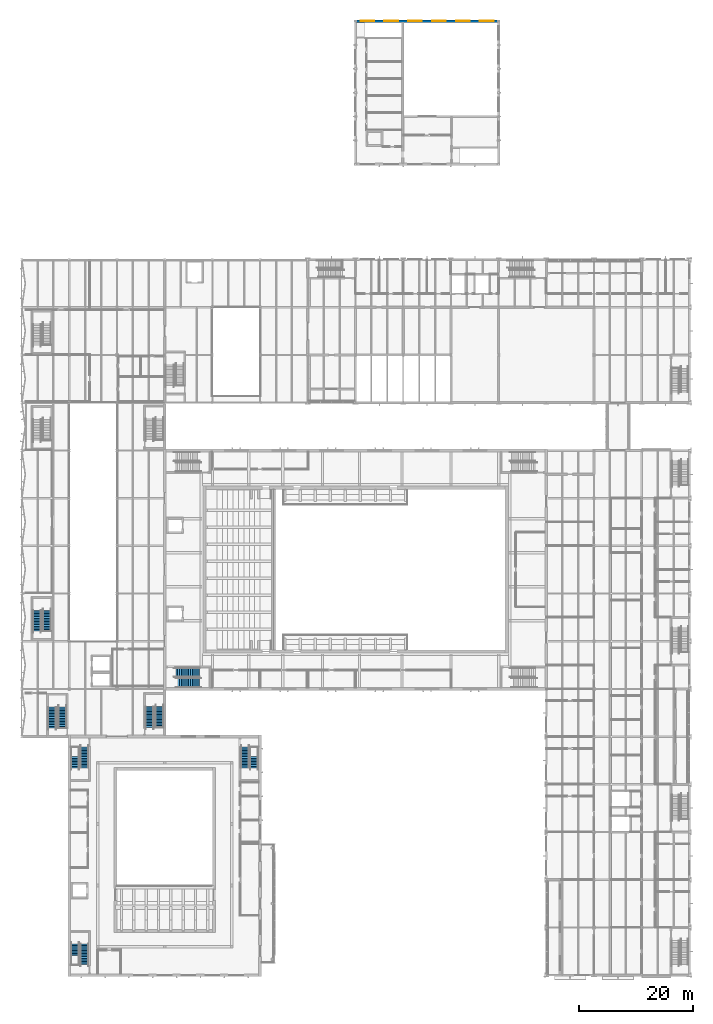
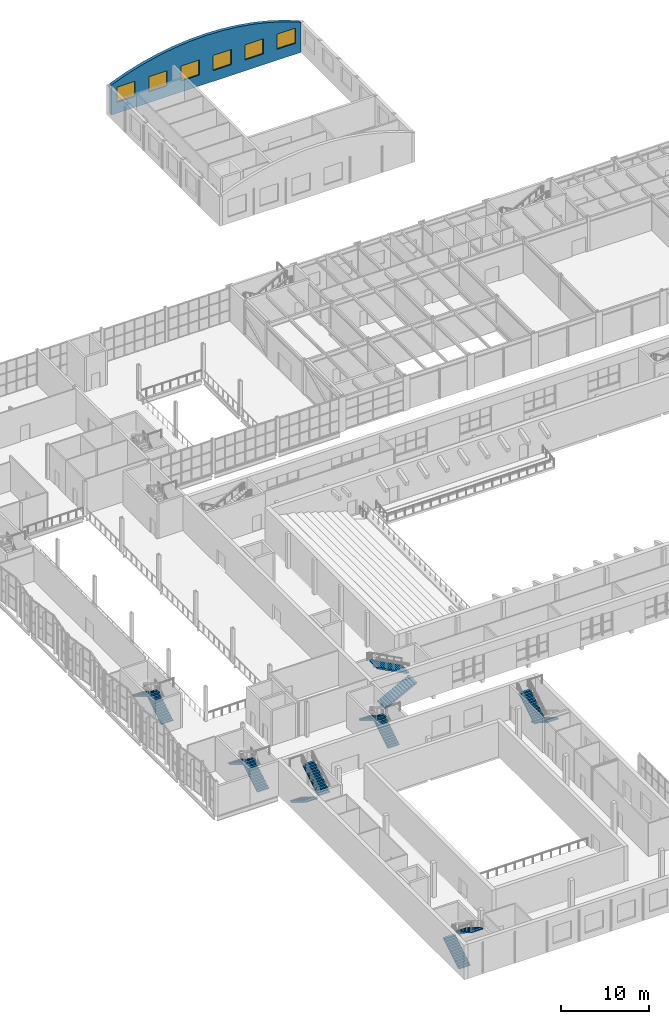
# One storey, part 85 of 127: 14 stair flights, 6 windows, 1 wall, 6 openings, 7 elements without a shape of their own.
"""IFC4 building model written with IfcOpenShell, lengths in metres."""

import ifcopenshell
import ifcopenshell.guid

model = None  # the IFC model being written
_history = None  # IfcOwnerHistory: only IFC2X3 demands one
_inside = {}  # id of a spatial element -> (the spatial element, [elements in it])
_under = {}  # id of a project, library or spatial element -> (it, [spatial elements below it])
_declared = {}  # id of a project -> (the project, [libraries it declares])
_typed = {}  # id of a type object -> (the type object, [elements of that type])
_made_of = {}  # id of a material, layer set ... -> (it, [elements and type objects made of it])


def new_model(schema):
    """Start an empty IFC model of exactly this schema.

    Asked for "IFC4X3", IfcOpenShell would pick the latest addendum, in which some entities
    have other attributes; the version numbers below select the first issue.
    IFC2X3 requires an IfcOwnerHistory on every rooted entity: one is made here for all.
    """
    global model, _history
    if schema == "IFC4X3":
        model = ifcopenshell.file(schema_version=(4, 3, 0, 0))
    else:
        model = ifcopenshell.file(schema=schema)
    _inside.clear()
    _under.clear()
    _declared.clear()
    _typed.clear()
    _made_of.clear()
    _history = None
    if model.schema == "IFC2X3":
        org = make("IfcOrganization", Name="unknown")
        user = make(
            "IfcPersonAndOrganization",
            ThePerson=make("IfcPerson", FamilyName="unknown"),
            TheOrganization=org,
        )
        app = make(
            "IfcApplication",
            ApplicationDeveloper=org,
            Version="unknown",
            ApplicationFullName="unknown",
            ApplicationIdentifier="unknown",
        )
        _history = make(
            "IfcOwnerHistory",
            OwningUser=user,
            OwningApplication=app,
            ChangeAction="ADDED",
            CreationDate=0,
        )
    return model


def make(cls, **values):
    """One entity of the class cls with the attributes given. An attribute that is None is left unset."""
    return model.create_entity(
        cls, **{name: value for name, value in values.items() if value is not None}
    )


def rooted(cls, **values):
    """An entity with a GlobalId (a new one), such as an element, a storey or a relation."""
    return make(cls, GlobalId=ifcopenshell.guid.new(), OwnerHistory=_history, **values)


def si_unit(unit_type, name, prefix=None):
    """IfcSIUnit, for example si_unit("LENGTHUNIT", "METRE", prefix="MILLI")."""
    return make("IfcSIUnit", UnitType=unit_type, Prefix=prefix, Name=name)


def assignment(units):
    """IfcUnitAssignment: the units of a project."""
    return None if units is None else make("IfcUnitAssignment", Units=units)


def point(xyz):
    """IfcCartesianPoint."""
    return None if xyz is None else make("IfcCartesianPoint", Coordinates=xyz)


def direction(xyz):
    """IfcDirection."""
    return None if xyz is None else make("IfcDirection", DirectionRatios=xyz)


def frame(location, z_axis=None, x_axis=None):
    """IfcAxis2Placement3D, a coordinate frame: its origin and axes. An axis left out is left unset."""
    return make(
        "IfcAxis2Placement3D",
        Location=point(location),
        Axis=direction(z_axis),
        RefDirection=direction(x_axis),
    )


def frame_2d(location, x_axis=None):
    """IfcAxis2Placement2D, a coordinate frame in the plane: its origin and x axis."""
    return make(
        "IfcAxis2Placement2D", Location=point(location), RefDirection=direction(x_axis)
    )


def origin():
    """The frame at (0, 0, 0) with its axes left unset."""
    return frame((0.0, 0.0, 0.0))


def place(relative_to, where):
    """IfcLocalPlacement: puts the frame where relative to a parent placement (None: the world)."""
    return make(
        "IfcLocalPlacement", PlacementRelTo=relative_to, RelativePlacement=where
    )


def context(
    kind, dimensions, precision=None, world=None, true_north=None, identifier=None
):
    """IfcGeometricRepresentationContext, for example the 3D "Model" context."""
    return make(
        "IfcGeometricRepresentationContext",
        ContextIdentifier=identifier,
        ContextType=kind,
        CoordinateSpaceDimension=dimensions,
        Precision=precision,
        WorldCoordinateSystem=world,
        TrueNorth=true_north,
    )


def subcontext(parent, identifier, kind, view, scale=None):
    """IfcGeometricRepresentationSubContext, for example "Body" below "Model"."""
    return make(
        "IfcGeometricRepresentationSubContext",
        ContextIdentifier=identifier,
        ContextType=kind,
        ParentContext=parent,
        TargetScale=scale,
        TargetView=view,
    )


def project(units=None, contexts=None):
    """IfcProject with its units and contexts."""
    return rooted(
        "IfcProject",
        Name="project",
        RepresentationContexts=contexts,
        UnitsInContext=assignment(units),
    )


def spatial(cls, under=None, at=None, **own):
    """A site, building, storey or space (cls), placed at a placement, below another one or the project."""
    s = rooted(cls, ObjectPlacement=at, **own)
    if under is not None:
        _under.setdefault(under.id(), (under, []))[1].append(s)
    return s


def polyline(points):
    """IfcPolyline through the points."""
    return make("IfcPolyline", Points=[point(p) for p in points])


def profile(cls, at=None, kind="AREA", **sizes):
    """A parametric profile (cls). Its sizes go by their IFC names, for example OverallWidth=200.0."""
    return make(cls, ProfileType=kind, Position=at, **sizes)


def rectangle(**sizes):
    """IfcRectangleProfileDef."""
    return profile("IfcRectangleProfileDef", **sizes)


def outline(outer, holes=None, kind="AREA"):
    """IfcArbitraryClosedProfileDef: a profile drawn as a closed curve; with holes, ...WithVoids."""
    if holes is None:
        return make("IfcArbitraryClosedProfileDef", ProfileType=kind, OuterCurve=outer)
    return make(
        "IfcArbitraryProfileDefWithVoids",
        ProfileType=kind,
        OuterCurve=outer,
        InnerCurves=holes,
    )


def extrude(swept, where, along, depth):
    """IfcExtrudedAreaSolid: the profile swept, set in the frame where, extruded along a direction by depth."""
    return make(
        "IfcExtrudedAreaSolid",
        SweptArea=swept,
        Position=where,
        ExtrudedDirection=direction(along),
        Depth=depth,
    )


def shape(context_of_items, identifier, shape_type, items):
    """IfcShapeRepresentation: the items that make up one representation, for example the "Body"."""
    return make(
        "IfcShapeRepresentation",
        ContextOfItems=context_of_items,
        RepresentationIdentifier=identifier,
        RepresentationType=shape_type,
        Items=items,
    )


def material(Name=None, Category=None):
    """IfcMaterial."""
    return make("IfcMaterial", Name=Name, Category=Category)


def layer(
    of_material, thickness, ventilated=None, Name=None, Category=None, Priority=None
):
    """IfcMaterialLayer: one layer of a wall or slab, of a material (None: an air gap)."""
    return make(
        "IfcMaterialLayer",
        Material=of_material,
        LayerThickness=thickness,
        IsVentilated=ventilated,
        Name=Name,
        Category=Category,
        Priority=Priority,
    )


def layer_set(layers, Name=None):
    """IfcMaterialLayerSet."""
    return make("IfcMaterialLayerSet", MaterialLayers=layers, LayerSetName=Name)


def made_of(thing, what):
    """Note that an element or type object is made of a material, layer set ...; save() writes the relation."""
    if what is not None:
        _made_of.setdefault(what.id(), (what, []))[1].append(thing)
    return thing


def type_object(cls, material=None, **own):
    """A type object (cls), such as IfcWallType, which elements share."""
    return made_of(rooted(cls, **own), material)


def element(
    cls,
    number,
    at=None,
    inside=None,
    cuts=None,
    type_object=None,
    material=None,
    context=None,
    identifier="Body",
    shape_type=None,
    held_by="IfcProductDefinitionShape",
    body=None,
    shapes=None,
    **own,
):
    """One element of the class cls, such as IfcWall. Its Tag is "e" and its number.

    at: its placement. inside: the storey or other place that contains it. cuts: it is an
    opening in that element (IfcRelVoidsElement). A single representation is given by context,
    identifier, shape_type and body (its items); several are given by shapes. held_by: the class
    of the entity that holds the representations. save() writes the other relations.
    """
    e = rooted(cls, Tag="e%d" % number, ObjectPlacement=at, **own)
    if body is not None:
        shapes = [shape(context, identifier, shape_type, body)]
    if shapes is not None:
        e.Representation = make(held_by, Representations=shapes)
    if inside is not None:
        _inside.setdefault(inside.id(), (inside, []))[1].append(e)
    if cuts is not None:
        rooted(
            "IfcRelVoidsElement", RelatingBuildingElement=cuts, RelatedOpeningElement=e
        )
    if type_object is not None:
        _typed.setdefault(type_object.id(), (type_object, []))[1].append(e)
    return made_of(e, material)


def fill(opening, filler):
    """IfcRelFillsElement: the door or window that sits in an opening."""
    return rooted(
        "IfcRelFillsElement",
        RelatingOpeningElement=opening,
        RelatedBuildingElement=filler,
    )


def aggregate(whole, parts):
    """IfcRelAggregates: a whole, such as a stair, and the parts it consists of."""
    return rooted("IfcRelAggregates", RelatingObject=whole, RelatedObjects=parts)


def save(model, path):
    """Write the relations noted so far, then the file.

    IfcRelAggregates (storeys below a building ...), IfcRelContainedInSpatialStructure (elements
    in a storey), IfcRelDefinesByType, IfcRelAssociatesMaterial and IfcRelDeclares: one each for
    every whole, place, type object, material and project.
    """
    for whole, parts in _under.values():
        aggregate(whole, parts)
    for where, things in _inside.values():
        rooted(
            "IfcRelContainedInSpatialStructure",
            RelatedElements=things,
            RelatingStructure=where,
        )
    for kind, things in _typed.values():
        rooted("IfcRelDefinesByType", RelatedObjects=things, RelatingType=kind)
    for what, things in _made_of.values():
        rooted("IfcRelAssociatesMaterial", RelatedObjects=things, RelatingMaterial=what)
    for by, libraries in _declared.values():
        rooted("IfcRelDeclares", RelatingContext=by, RelatedDefinitions=libraries)
    model.write(path)


model = new_model("IFC4")

# Units and contexts
model_context = context("Model", 3, precision=1e-05, world=origin(), true_north=direction((0.0, 1.0)))
body_context = subcontext(model_context, "Body", "Model", "MODEL_VIEW")
ifc_project = project(units=[si_unit("LENGTHUNIT", "METRE"), si_unit("AREAUNIT", "SQUARE_METRE"), si_unit("VOLUMEUNIT", "CUBIC_METRE"), si_unit("PLANEANGLEUNIT", "RADIAN"), si_unit("MASSUNIT", "GRAM", prefix="KILO")], contexts=[model_context])

# Site, building, storey
site_placement = place(None, origin())
site = spatial("IfcSite", under=ifc_project, at=site_placement, CompositionType="ELEMENT")
building_placement = place(site_placement, origin())
building = spatial("IfcBuilding", under=site, at=building_placement, Name="Ljudholm Concert House", CompositionType="ELEMENT")
storey_placement = place(building_placement, frame((0.0, 0.0, 5.39990234375)))
storey = spatial("IfcBuildingStorey", under=building, at=storey_placement, Name="L01", CompositionType="ELEMENT", Elevation=5.39990234375)

# Wall, openings, windows
ifc_material_1 = material(Name="Concrete 6,500 psi", Category="concrete")
ifc_layer = layer(ifc_material_1, 0.39990234375)
ifc_layer_set = layer_set([ifc_layer], Name="Concrete 6,500 psi")
wall_type = type_object("IfcWallType", Name="RC WALL 400", PredefinedType="SOLIDWALL", material=ifc_layer_set)
wall_placement = place(storey_placement, frame((63.0, 172.0, 0.0), z_axis=(0.0, 0.0, 1.0), x_axis=(1.0, 0.0, 0.0)))
wall = element("IfcWall", 1, at=wall_placement, inside=storey, type_object=wall_type, Name="Gable wall N", PredefinedType="SOLIDWALL", context=body_context, shape_type="SweptSolid", body=[
    extrude(outline(polyline([(0.0, 0.0), (24.800048828125, 0.0), (24.800048828125, 4.16552734375), (22.802001953125, 4.934814453125), (20.721435546875, 5.574462890625), (18.64111328125, 6.06298828125), (16.560791015625, 6.4072265625), (14.48046875, 6.612060546875), (12.39990234375, 6.679931640625), (10.319580078125, 6.612060546875), (8.2392578125, 6.4072265625), (6.15869140625, 6.06298828125), (4.07861328125, 5.574462890625), (1.998046875, 4.934814453125), (0.0, 4.16552734375), (0.0, 0.0)])), frame((0.0, 0.199951171875, 0.0), z_axis=(0.0, -1.0, 0.0), x_axis=(1.0, 0.0, 0.0)), (0.0, 0.0, 1.0), 0.39990234375),
])
opening_1_placement = place(wall_placement, frame((0.699951171875, 0.0, 1.5)))
opening_1 = element("IfcOpeningElement", 2, at=opening_1_placement, cuts=wall, Name="Opening X-E01-009", PredefinedType="OPENING", context=body_context, shape_type="SweptSolid", body=[
    extrude(rectangle(XDim=2.39990234375, YDim=2.10009765625, at=frame_2d((1.199951171875, 1.050048828125))), frame((0.0, 0.2099609375, 0.0), z_axis=(0.0, -1.0, 0.0), x_axis=(1.0, 0.0, 0.0)), (0.0, 0.0, 1.0), 0.419921875),
])
opening_2_placement = place(wall_placement, frame((4.89990234375, 0.0, 1.5)))
opening_2 = element("IfcOpeningElement", 3, at=opening_2_placement, cuts=wall, Name="Opening X-E01-010", PredefinedType="OPENING", context=body_context, shape_type="SweptSolid", body=[
    extrude(rectangle(XDim=2.39990234375, YDim=2.10009765625, at=frame_2d((1.199951171875, 1.050048828125))), frame((0.0, 0.2099609375, 0.0), z_axis=(0.0, -1.0, 0.0), x_axis=(1.0, 0.0, 0.0)), (0.0, 0.0, 1.0), 0.419921875),
])
opening_3_placement = place(wall_placement, frame((9.10009765625, 0.0, 1.5)))
opening_3 = element("IfcOpeningElement", 4, at=opening_3_placement, cuts=wall, Name="Opening X-E01-011", PredefinedType="OPENING", context=body_context, shape_type="SweptSolid", body=[
    extrude(rectangle(XDim=2.39990234375, YDim=2.10009765625, at=frame_2d((1.199951171875, 1.050048828125))), frame((0.0, 0.2099609375, 0.0), z_axis=(0.0, -1.0, 0.0), x_axis=(1.0, 0.0, 0.0)), (0.0, 0.0, 1.0), 0.419921875),
])
opening_4_placement = place(wall_placement, frame((13.300048828125, 0.0, 1.5)))
opening_4 = element("IfcOpeningElement", 5, at=opening_4_placement, cuts=wall, Name="Opening X-E01-012", PredefinedType="OPENING", context=body_context, shape_type="SweptSolid", body=[
    extrude(rectangle(XDim=2.39990234375, YDim=2.10009765625, at=frame_2d((1.199951171875, 1.050048828125))), frame((0.0, 0.2099609375, 0.0), z_axis=(0.0, -1.0, 0.0), x_axis=(1.0, 0.0, 0.0)), (0.0, 0.0, 1.0), 0.419921875),
])
opening_5_placement = place(wall_placement, frame((17.5, 0.0, 1.5)))
opening_5 = element("IfcOpeningElement", 6, at=opening_5_placement, cuts=wall, Name="Opening X-E01-013", PredefinedType="OPENING", context=body_context, shape_type="SweptSolid", body=[
    extrude(rectangle(XDim=2.39990234375, YDim=2.10009765625, at=frame_2d((1.199951171875, 1.050048828125))), frame((0.0, 0.2099609375, 0.0), z_axis=(0.0, -1.0, 0.0), x_axis=(1.0, 0.0, 0.0)), (0.0, 0.0, 1.0), 0.419921875),
])
opening_6_placement = place(wall_placement, frame((21.699951171875, 0.0, 1.5)))
opening_6 = element("IfcOpeningElement", 7, at=opening_6_placement, cuts=wall, Name="Opening X-E01-014", PredefinedType="OPENING", context=body_context, shape_type="SweptSolid", body=[
    extrude(rectangle(XDim=2.39990234375, YDim=2.10009765625, at=frame_2d((1.199951171875, 1.050048828125))), frame((0.0, 0.2099609375, 0.0), z_axis=(0.0, -1.0, 0.0), x_axis=(1.0, 0.0, 0.0)), (0.0, 0.0, 1.0), 0.419921875),
])
ifc_material_2 = material(Name="Aluminium frame, impact glazing", Category="aluminium")
window_type = type_object("IfcWindowType", Name="FIXED WINDOW 2400x2100", PartitioningType="SINGLE_PANEL", PredefinedType="WINDOW", material=ifc_material_2)
window_1_placement = place(opening_1_placement, origin())
window_1 = element("IfcWindow", 8, at=window_1_placement, inside=storey, type_object=window_type, Name="Clerestory window", OverallHeight=2.10009765625, OverallWidth=2.39990234375, PartitioningType="SINGLE_PANEL", PredefinedType="WINDOW", context=body_context, shape_type="SweptSolid", body=[
    extrude(rectangle(XDim=2.39990234375, YDim=2.10009765625, at=frame_2d((1.199951171875, 1.050048828125))), frame((0.0, 0.030029296875, 0.0), z_axis=(0.0, -1.0, 0.0), x_axis=(1.0, 0.0, 0.0)), (0.0, 0.0, 1.0), 0.06005859375),
])
fill(opening_1, window_1)
window_2_placement = place(opening_2_placement, origin())
window_2 = element("IfcWindow", 9, at=window_2_placement, inside=storey, type_object=window_type, Name="Clerestory window", OverallHeight=2.10009765625, OverallWidth=2.39990234375, PartitioningType="SINGLE_PANEL", PredefinedType="WINDOW", context=body_context, shape_type="SweptSolid", body=[
    extrude(rectangle(XDim=2.39990234375, YDim=2.10009765625, at=frame_2d((1.199951171875, 1.050048828125))), frame((0.0, 0.030029296875, 0.0), z_axis=(0.0, -1.0, 0.0), x_axis=(1.0, 0.0, 0.0)), (0.0, 0.0, 1.0), 0.06005859375),
])
fill(opening_2, window_2)
window_3_placement = place(opening_3_placement, origin())
window_3 = element("IfcWindow", 10, at=window_3_placement, inside=storey, type_object=window_type, Name="Clerestory window", OverallHeight=2.10009765625, OverallWidth=2.39990234375, PartitioningType="SINGLE_PANEL", PredefinedType="WINDOW", context=body_context, shape_type="SweptSolid", body=[
    extrude(rectangle(XDim=2.39990234375, YDim=2.10009765625, at=frame_2d((1.199951171875, 1.050048828125))), frame((0.0, 0.030029296875, 0.0), z_axis=(0.0, -1.0, 0.0), x_axis=(1.0, 0.0, 0.0)), (0.0, 0.0, 1.0), 0.06005859375),
])
fill(opening_3, window_3)
window_4_placement = place(opening_4_placement, origin())
window_4 = element("IfcWindow", 11, at=window_4_placement, inside=storey, type_object=window_type, Name="Clerestory window", OverallHeight=2.10009765625, OverallWidth=2.39990234375, PartitioningType="SINGLE_PANEL", PredefinedType="WINDOW", context=body_context, shape_type="SweptSolid", body=[
    extrude(rectangle(XDim=2.39990234375, YDim=2.10009765625, at=frame_2d((1.199951171875, 1.050048828125))), frame((0.0, 0.030029296875, 0.0), z_axis=(0.0, -1.0, 0.0), x_axis=(1.0, 0.0, 0.0)), (0.0, 0.0, 1.0), 0.06005859375),
])
fill(opening_4, window_4)
window_5_placement = place(opening_5_placement, origin())
window_5 = element("IfcWindow", 12, at=window_5_placement, inside=storey, type_object=window_type, Name="Clerestory window", OverallHeight=2.10009765625, OverallWidth=2.39990234375, PartitioningType="SINGLE_PANEL", PredefinedType="WINDOW", context=body_context, shape_type="SweptSolid", body=[
    extrude(rectangle(XDim=2.39990234375, YDim=2.10009765625, at=frame_2d((1.199951171875, 1.050048828125))), frame((0.0, 0.030029296875, 0.0), z_axis=(0.0, -1.0, 0.0), x_axis=(1.0, 0.0, 0.0)), (0.0, 0.0, 1.0), 0.06005859375),
])
fill(opening_5, window_5)
window_6_placement = place(opening_6_placement, origin())
window_6 = element("IfcWindow", 13, at=window_6_placement, inside=storey, type_object=window_type, Name="Clerestory window", OverallHeight=2.10009765625, OverallWidth=2.39990234375, PartitioningType="SINGLE_PANEL", PredefinedType="WINDOW", context=body_context, shape_type="SweptSolid", body=[
    extrude(rectangle(XDim=2.39990234375, YDim=2.10009765625, at=frame_2d((1.199951171875, 1.050048828125))), frame((0.0, 0.030029296875, 0.0), z_axis=(0.0, -1.0, 0.0), x_axis=(1.0, 0.0, 0.0)), (0.0, 0.0, 1.0), 0.06005859375),
])
fill(opening_6, window_6)

# Stair, stair flights
ifc_material_3 = material(Name="Concrete 5,000 psi", Category="concrete")
stair_type_1 = type_object("IfcStairType", Name="RC STAIR 1500x171x280", PredefinedType="HALF_TURN_STAIR", material=ifc_material_3)
stair_1_placement = place(storey_placement, origin())
stair_1 = element("IfcStair", 14, at=stair_1_placement, inside=storey, type_object=stair_type_1, Name="Exit stair EC1", PredefinedType="HALF_TURN_STAIR")
ifc_material_4 = material(Name="Concrete 5,000 psi", Category="concrete")
stair_flight_type_1 = type_object("IfcStairFlightType", Name="RC STAIR FLIGHT 1500x171x280", PredefinedType="STRAIGHT", material=ifc_material_4)
stair_flight_1_placement = place(storey_placement, frame((13.449951171875, 5.85009765625, 0.0), z_axis=(0.0, 0.0, 1.0), x_axis=(0.0, 1.0, 0.0)))
stair_flight_1 = element("IfcStairFlight", 15, at=stair_flight_1_placement, type_object=stair_flight_type_1, Name="ST-C01-001 flight 1", NumberOfRisers=14, NumberOfTreads=13, PredefinedType="STRAIGHT", RiserHeight=0.171428571, TreadLength=0.28, context=body_context, shape_type="SweptSolid", body=[
    extrude(outline(polyline([(0.0, 0.0), (0.0, 0.17138671875), (0.280029296875, 0.17138671875), (0.280029296875, 0.3427734375), (0.56005859375, 0.3427734375), (0.56005859375, 0.514404296875), (0.840087890625, 0.514404296875), (0.840087890625, 0.685791015625), (1.1201171875, 0.685791015625), (1.1201171875, 0.857177734375), (1.39990234375, 0.857177734375), (1.39990234375, 1.028564453125), (1.679931640625, 1.028564453125), (1.679931640625, 1.199951171875), (1.9599609375, 1.199951171875), (1.9599609375, 1.371337890625), (2.239990234375, 1.371337890625), (2.239990234375, 1.54296875), (2.52001953125, 1.54296875), (2.52001953125, 1.71435546875), (2.800048828125, 1.71435546875), (2.800048828125, 1.8857421875), (3.080078125, 1.8857421875), (3.080078125, 2.05712890625), (3.360107421875, 2.05712890625), (3.360107421875, 2.228515625), (3.639892578125, 2.228515625), (3.639892578125, 2.39990234375), (3.639892578125, 2.052734375), (0.287109375, 0.0), (0.0, 0.0)])), frame((0.0, 0.75, 0.0), z_axis=(0.0, -1.0, 0.0), x_axis=(1.0, 0.0, 0.0)), (0.0, 0.0, 1.0), 1.5),
])
stair_flight_2_placement = place(storey_placement, frame((15.050048828125, 9.489990234375, 2.400146484375), z_axis=(0.0, 0.0, 1.0), x_axis=(0.0, -1.0, 0.0)))
stair_flight_2 = element("IfcStairFlight", 16, at=stair_flight_2_placement, type_object=stair_flight_type_1, Name="ST-C01-001 flight 2", NumberOfRisers=14, NumberOfTreads=13, PredefinedType="STRAIGHT", RiserHeight=0.171428571, TreadLength=0.28, context=body_context, shape_type="SweptSolid", body=[
    extrude(outline(polyline([(0.0, 0.0), (0.0, 0.17138671875), (0.280029296875, 0.17138671875), (0.280029296875, 0.3427734375), (0.56005859375, 0.3427734375), (0.56005859375, 0.514404296875), (0.840087890625, 0.514404296875), (0.840087890625, 0.685791015625), (1.1201171875, 0.685791015625), (1.1201171875, 0.857177734375), (1.39990234375, 0.857177734375), (1.39990234375, 1.028564453125), (1.679931640625, 1.028564453125), (1.679931640625, 1.199951171875), (1.9599609375, 1.199951171875), (1.9599609375, 1.371337890625), (2.239990234375, 1.371337890625), (2.239990234375, 1.54296875), (2.52001953125, 1.54296875), (2.52001953125, 1.71435546875), (2.800048828125, 1.71435546875), (2.800048828125, 1.8857421875), (3.080078125, 1.8857421875), (3.080078125, 2.05712890625), (3.360107421875, 2.05712890625), (3.360107421875, 2.228515625), (3.639892578125, 2.228515625), (3.639892578125, 2.39990234375), (3.639892578125, 2.052734375), (0.287109375, 0.0), (0.0, 0.0)])), frame((0.0, 0.75, 0.0), z_axis=(0.0, -1.0, 0.0), x_axis=(1.0, 0.0, 0.0)), (0.0, 0.0, 1.0), 1.5),
])
aggregate(stair_1, [stair_flight_1, stair_flight_2])

stair_2_placement = place(storey_placement, origin())
stair_2 = element("IfcStair", 17, at=stair_2_placement, inside=storey, type_object=stair_type_1, Name="Exit stair EC2", PredefinedType="HALF_TURN_STAIR")
stair_flight_3_placement = place(storey_placement, frame((13.449951171875, 44.14990234375, 0.0), z_axis=(0.0, 0.0, 1.0), x_axis=(0.0, -1.0, 0.0)))
stair_flight_3 = element("IfcStairFlight", 18, at=stair_flight_3_placement, type_object=stair_flight_type_1, Name="ST-C01-002 flight 1", NumberOfRisers=14, NumberOfTreads=13, PredefinedType="STRAIGHT", RiserHeight=0.171428571, TreadLength=0.28, context=body_context, shape_type="SweptSolid", body=[
    extrude(outline(polyline([(0.0, 0.0), (0.0, 0.17138671875), (0.280029296875, 0.17138671875), (0.280029296875, 0.3427734375), (0.56005859375, 0.3427734375), (0.56005859375, 0.514404296875), (0.840087890625, 0.514404296875), (0.840087890625, 0.685791015625), (1.1201171875, 0.685791015625), (1.1201171875, 0.857177734375), (1.39990234375, 0.857177734375), (1.39990234375, 1.028564453125), (1.679931640625, 1.028564453125), (1.679931640625, 1.199951171875), (1.9599609375, 1.199951171875), (1.9599609375, 1.371337890625), (2.239990234375, 1.371337890625), (2.239990234375, 1.54296875), (2.52001953125, 1.54296875), (2.52001953125, 1.71435546875), (2.800048828125, 1.71435546875), (2.800048828125, 1.8857421875), (3.080078125, 1.8857421875), (3.080078125, 2.05712890625), (3.360107421875, 2.05712890625), (3.360107421875, 2.228515625), (3.639892578125, 2.228515625), (3.639892578125, 2.39990234375), (3.639892578125, 2.052734375), (0.287109375, 0.0), (0.0, 0.0)])), frame((0.0, 0.75, 0.0), z_axis=(0.0, -1.0, 0.0), x_axis=(1.0, 0.0, 0.0)), (0.0, 0.0, 1.0), 1.5),
])
stair_flight_4_placement = place(storey_placement, frame((15.050048828125, 40.510009765625, 2.400146484375), z_axis=(0.0, 0.0, 1.0), x_axis=(0.0, 1.0, 0.0)))
stair_flight_4 = element("IfcStairFlight", 19, at=stair_flight_4_placement, type_object=stair_flight_type_1, Name="ST-C01-002 flight 2", NumberOfRisers=14, NumberOfTreads=13, PredefinedType="STRAIGHT", RiserHeight=0.171428571, TreadLength=0.28, context=body_context, shape_type="SweptSolid", body=[
    extrude(outline(polyline([(0.0, 0.0), (0.0, 0.17138671875), (0.280029296875, 0.17138671875), (0.280029296875, 0.3427734375), (0.56005859375, 0.3427734375), (0.56005859375, 0.514404296875), (0.840087890625, 0.514404296875), (0.840087890625, 0.685791015625), (1.1201171875, 0.685791015625), (1.1201171875, 0.857177734375), (1.39990234375, 0.857177734375), (1.39990234375, 1.028564453125), (1.679931640625, 1.028564453125), (1.679931640625, 1.199951171875), (1.9599609375, 1.199951171875), (1.9599609375, 1.371337890625), (2.239990234375, 1.371337890625), (2.239990234375, 1.54296875), (2.52001953125, 1.54296875), (2.52001953125, 1.71435546875), (2.800048828125, 1.71435546875), (2.800048828125, 1.8857421875), (3.080078125, 1.8857421875), (3.080078125, 2.05712890625), (3.360107421875, 2.05712890625), (3.360107421875, 2.228515625), (3.639892578125, 2.228515625), (3.639892578125, 2.39990234375), (3.639892578125, 2.052734375), (0.287109375, 0.0), (0.0, 0.0)])), frame((0.0, 0.75, 0.0), z_axis=(0.0, -1.0, 0.0), x_axis=(1.0, 0.0, 0.0)), (0.0, 0.0, 1.0), 1.5),
])
aggregate(stair_2, [stair_flight_3, stair_flight_4])

stair_3_placement = place(storey_placement, origin())
stair_3 = element("IfcStair", 20, at=stair_3_placement, inside=storey, type_object=stair_type_1, Name="Exit stair EC3", PredefinedType="HALF_TURN_STAIR")
stair_flight_5_placement = place(storey_placement, frame((44.949951171875, 44.14990234375, 0.0), z_axis=(0.0, 0.0, 1.0), x_axis=(0.0, -1.0, 0.0)))
stair_flight_5 = element("IfcStairFlight", 21, at=stair_flight_5_placement, type_object=stair_flight_type_1, Name="ST-C01-003 flight 1", NumberOfRisers=14, NumberOfTreads=13, PredefinedType="STRAIGHT", RiserHeight=0.171428571, TreadLength=0.28, context=body_context, shape_type="SweptSolid", body=[
    extrude(outline(polyline([(0.0, 0.0), (0.0, 0.17138671875), (0.280029296875, 0.17138671875), (0.280029296875, 0.3427734375), (0.56005859375, 0.3427734375), (0.56005859375, 0.514404296875), (0.840087890625, 0.514404296875), (0.840087890625, 0.685791015625), (1.1201171875, 0.685791015625), (1.1201171875, 0.857177734375), (1.39990234375, 0.857177734375), (1.39990234375, 1.028564453125), (1.679931640625, 1.028564453125), (1.679931640625, 1.199951171875), (1.9599609375, 1.199951171875), (1.9599609375, 1.371337890625), (2.239990234375, 1.371337890625), (2.239990234375, 1.54296875), (2.52001953125, 1.54296875), (2.52001953125, 1.71435546875), (2.800048828125, 1.71435546875), (2.800048828125, 1.8857421875), (3.080078125, 1.8857421875), (3.080078125, 2.05712890625), (3.360107421875, 2.05712890625), (3.360107421875, 2.228515625), (3.639892578125, 2.228515625), (3.639892578125, 2.39990234375), (3.639892578125, 2.052734375), (0.287109375, 0.0), (0.0, 0.0)])), frame((0.0, 0.75, 0.0), z_axis=(0.0, -1.0, 0.0), x_axis=(1.0, 0.0, 0.0)), (0.0, 0.0, 1.0), 1.5),
])
stair_flight_6_placement = place(storey_placement, frame((43.35009765625, 40.510009765625, 2.400146484375), z_axis=(0.0, 0.0, 1.0), x_axis=(0.0, 1.0, 0.0)))
stair_flight_6 = element("IfcStairFlight", 22, at=stair_flight_6_placement, type_object=stair_flight_type_1, Name="ST-C01-003 flight 2", NumberOfRisers=14, NumberOfTreads=13, PredefinedType="STRAIGHT", RiserHeight=0.171428571, TreadLength=0.28, context=body_context, shape_type="SweptSolid", body=[
    extrude(outline(polyline([(0.0, 0.0), (0.0, 0.17138671875), (0.280029296875, 0.17138671875), (0.280029296875, 0.3427734375), (0.56005859375, 0.3427734375), (0.56005859375, 0.514404296875), (0.840087890625, 0.514404296875), (0.840087890625, 0.685791015625), (1.1201171875, 0.685791015625), (1.1201171875, 0.857177734375), (1.39990234375, 0.857177734375), (1.39990234375, 1.028564453125), (1.679931640625, 1.028564453125), (1.679931640625, 1.199951171875), (1.9599609375, 1.199951171875), (1.9599609375, 1.371337890625), (2.239990234375, 1.371337890625), (2.239990234375, 1.54296875), (2.52001953125, 1.54296875), (2.52001953125, 1.71435546875), (2.800048828125, 1.71435546875), (2.800048828125, 1.8857421875), (3.080078125, 1.8857421875), (3.080078125, 2.05712890625), (3.360107421875, 2.05712890625), (3.360107421875, 2.228515625), (3.639892578125, 2.228515625), (3.639892578125, 2.39990234375), (3.639892578125, 2.052734375), (0.287109375, 0.0), (0.0, 0.0)])), frame((0.0, 0.75, 0.0), z_axis=(0.0, -1.0, 0.0), x_axis=(1.0, 0.0, 0.0)), (0.0, 0.0, 1.0), 1.5),
])
aggregate(stair_3, [stair_flight_5, stair_flight_6])

stair_4_placement = place(storey_placement, origin())
stair_4 = element("IfcStair", 23, at=stair_4_placement, inside=storey, type_object=stair_type_1, Name="Stair", PredefinedType="HALF_TURN_STAIR")
stair_flight_7_placement = place(storey_placement, frame((11.14990234375, 47.550048828125, 0.0), z_axis=(0.0, 0.0, 1.0), x_axis=(0.0, 1.0, 0.0)))
stair_flight_7 = element("IfcStairFlight", 24, at=stair_flight_7_placement, type_object=stair_flight_type_1, Name="ST-S01-001 flight 1", NumberOfRisers=14, NumberOfTreads=13, PredefinedType="STRAIGHT", RiserHeight=0.171428571, TreadLength=0.28, context=body_context, shape_type="SweptSolid", body=[
    extrude(outline(polyline([(0.0, 0.0), (0.0, 0.17138671875), (0.280029296875, 0.17138671875), (0.280029296875, 0.3427734375), (0.56005859375, 0.3427734375), (0.56005859375, 0.514404296875), (0.840087890625, 0.514404296875), (0.840087890625, 0.685791015625), (1.1201171875, 0.685791015625), (1.1201171875, 0.857177734375), (1.39990234375, 0.857177734375), (1.39990234375, 1.028564453125), (1.679931640625, 1.028564453125), (1.679931640625, 1.199951171875), (1.9599609375, 1.199951171875), (1.9599609375, 1.371337890625), (2.239990234375, 1.371337890625), (2.239990234375, 1.54296875), (2.52001953125, 1.54296875), (2.52001953125, 1.71435546875), (2.800048828125, 1.71435546875), (2.800048828125, 1.8857421875), (3.080078125, 1.8857421875), (3.080078125, 2.05712890625), (3.360107421875, 2.05712890625), (3.360107421875, 2.228515625), (3.639892578125, 2.228515625), (3.639892578125, 2.39990234375), (3.639892578125, 2.052734375), (0.287109375, 0.0), (0.0, 0.0)])), frame((0.0, 0.75, 0.0), z_axis=(0.0, -1.0, 0.0), x_axis=(1.0, 0.0, 0.0)), (0.0, 0.0, 1.0), 1.5),
])
stair_flight_8_placement = place(storey_placement, frame((9.39990234375, 51.18994140625, 2.400146484375), z_axis=(0.0, 0.0, 1.0), x_axis=(0.0, -1.0, 0.0)))
stair_flight_8 = element("IfcStairFlight", 25, at=stair_flight_8_placement, type_object=stair_flight_type_1, Name="ST-S01-001 flight 2", NumberOfRisers=14, NumberOfTreads=13, PredefinedType="STRAIGHT", RiserHeight=0.171428571, TreadLength=0.28, context=body_context, shape_type="SweptSolid", body=[
    extrude(outline(polyline([(0.0, 0.0), (0.0, 0.17138671875), (0.280029296875, 0.17138671875), (0.280029296875, 0.3427734375), (0.56005859375, 0.3427734375), (0.56005859375, 0.514404296875), (0.840087890625, 0.514404296875), (0.840087890625, 0.685791015625), (1.1201171875, 0.685791015625), (1.1201171875, 0.857177734375), (1.39990234375, 0.857177734375), (1.39990234375, 1.028564453125), (1.679931640625, 1.028564453125), (1.679931640625, 1.199951171875), (1.9599609375, 1.199951171875), (1.9599609375, 1.371337890625), (2.239990234375, 1.371337890625), (2.239990234375, 1.54296875), (2.52001953125, 1.54296875), (2.52001953125, 1.71435546875), (2.800048828125, 1.71435546875), (2.800048828125, 1.8857421875), (3.080078125, 1.8857421875), (3.080078125, 2.05712890625), (3.360107421875, 2.05712890625), (3.360107421875, 2.228515625), (3.639892578125, 2.228515625), (3.639892578125, 2.39990234375), (3.639892578125, 2.052734375), (0.287109375, 0.0), (0.0, 0.0)])), frame((0.0, 0.75, 0.0), z_axis=(0.0, -1.0, 0.0), x_axis=(1.0, 0.0, 0.0)), (0.0, 0.0, 1.0), 1.5),
])
aggregate(stair_4, [stair_flight_7, stair_flight_8])

stair_5_placement = place(storey_placement, origin())
stair_5 = element("IfcStair", 26, at=stair_5_placement, inside=storey, type_object=stair_type_1, Name="Stair", PredefinedType="HALF_TURN_STAIR")
stair_flight_9_placement = place(storey_placement, frame((28.300048828125, 47.64990234375, 0.0), z_axis=(0.0, 0.0, 1.0), x_axis=(0.0, 1.0, 0.0)))
stair_flight_9 = element("IfcStairFlight", 27, at=stair_flight_9_placement, type_object=stair_flight_type_1, Name="ST-S01-002 flight 1", NumberOfRisers=14, NumberOfTreads=13, PredefinedType="STRAIGHT", RiserHeight=0.171428571, TreadLength=0.28, context=body_context, shape_type="SweptSolid", body=[
    extrude(outline(polyline([(0.0, 0.0), (0.0, 0.17138671875), (0.280029296875, 0.17138671875), (0.280029296875, 0.3427734375), (0.56005859375, 0.3427734375), (0.56005859375, 0.514404296875), (0.840087890625, 0.514404296875), (0.840087890625, 0.685791015625), (1.1201171875, 0.685791015625), (1.1201171875, 0.857177734375), (1.39990234375, 0.857177734375), (1.39990234375, 1.028564453125), (1.679931640625, 1.028564453125), (1.679931640625, 1.199951171875), (1.9599609375, 1.199951171875), (1.9599609375, 1.371337890625), (2.239990234375, 1.371337890625), (2.239990234375, 1.54296875), (2.52001953125, 1.54296875), (2.52001953125, 1.71435546875), (2.800048828125, 1.71435546875), (2.800048828125, 1.8857421875), (3.080078125, 1.8857421875), (3.080078125, 2.05712890625), (3.360107421875, 2.05712890625), (3.360107421875, 2.228515625), (3.639892578125, 2.228515625), (3.639892578125, 2.39990234375), (3.639892578125, 2.052734375), (0.287109375, 0.0), (0.0, 0.0)])), frame((0.0, 0.75, 0.0), z_axis=(0.0, -1.0, 0.0), x_axis=(1.0, 0.0, 0.0)), (0.0, 0.0, 1.0), 1.5),
])
stair_flight_10_placement = place(storey_placement, frame((26.550048828125, 51.2900390625, 2.400146484375), z_axis=(0.0, 0.0, 1.0), x_axis=(0.0, -1.0, 0.0)))
stair_flight_10 = element("IfcStairFlight", 28, at=stair_flight_10_placement, type_object=stair_flight_type_1, Name="ST-S01-002 flight 2", NumberOfRisers=14, NumberOfTreads=13, PredefinedType="STRAIGHT", RiserHeight=0.171428571, TreadLength=0.28, context=body_context, shape_type="SweptSolid", body=[
    extrude(outline(polyline([(0.0, 0.0), (0.0, 0.17138671875), (0.280029296875, 0.17138671875), (0.280029296875, 0.3427734375), (0.56005859375, 0.3427734375), (0.56005859375, 0.514404296875), (0.840087890625, 0.514404296875), (0.840087890625, 0.685791015625), (1.1201171875, 0.685791015625), (1.1201171875, 0.857177734375), (1.39990234375, 0.857177734375), (1.39990234375, 1.028564453125), (1.679931640625, 1.028564453125), (1.679931640625, 1.199951171875), (1.9599609375, 1.199951171875), (1.9599609375, 1.371337890625), (2.239990234375, 1.371337890625), (2.239990234375, 1.54296875), (2.52001953125, 1.54296875), (2.52001953125, 1.71435546875), (2.800048828125, 1.71435546875), (2.800048828125, 1.8857421875), (3.080078125, 1.8857421875), (3.080078125, 2.05712890625), (3.360107421875, 2.05712890625), (3.360107421875, 2.228515625), (3.639892578125, 2.228515625), (3.639892578125, 2.39990234375), (3.639892578125, 2.052734375), (0.287109375, 0.0), (0.0, 0.0)])), frame((0.0, 0.75, 0.0), z_axis=(0.0, -1.0, 0.0), x_axis=(1.0, 0.0, 0.0)), (0.0, 0.0, 1.0), 1.5),
])
aggregate(stair_5, [stair_flight_9, stair_flight_10])

stair_6_placement = place(storey_placement, origin())
stair_6 = element("IfcStair", 29, at=stair_6_placement, inside=storey, type_object=stair_type_1, Name="Stair", PredefinedType="HALF_TURN_STAIR")
stair_flight_11_placement = place(storey_placement, frame((8.449951171875, 64.60009765625, 0.0), z_axis=(0.0, 0.0, 1.0), x_axis=(0.0, 1.0, 0.0)))
stair_flight_11 = element("IfcStairFlight", 30, at=stair_flight_11_placement, type_object=stair_flight_type_1, Name="ST-S01-004 flight 1", NumberOfRisers=14, NumberOfTreads=13, PredefinedType="STRAIGHT", RiserHeight=0.171428571, TreadLength=0.28, context=body_context, shape_type="SweptSolid", body=[
    extrude(outline(polyline([(0.0, 0.0), (0.0, 0.17138671875), (0.280029296875, 0.17138671875), (0.280029296875, 0.3427734375), (0.56005859375, 0.3427734375), (0.56005859375, 0.514404296875), (0.840087890625, 0.514404296875), (0.840087890625, 0.685791015625), (1.1201171875, 0.685791015625), (1.1201171875, 0.857177734375), (1.39990234375, 0.857177734375), (1.39990234375, 1.028564453125), (1.679931640625, 1.028564453125), (1.679931640625, 1.199951171875), (1.9599609375, 1.199951171875), (1.9599609375, 1.371337890625), (2.239990234375, 1.371337890625), (2.239990234375, 1.54296875), (2.52001953125, 1.54296875), (2.52001953125, 1.71435546875), (2.800048828125, 1.71435546875), (2.800048828125, 1.8857421875), (3.080078125, 1.8857421875), (3.080078125, 2.05712890625), (3.360107421875, 2.05712890625), (3.360107421875, 2.228515625), (3.639892578125, 2.228515625), (3.639892578125, 2.39990234375), (3.639892578125, 2.052734375), (0.287109375, 0.0), (0.0, 0.0)])), frame((0.0, 0.75, 0.0), z_axis=(0.0, -1.0, 0.0), x_axis=(1.0, 0.0, 0.0)), (0.0, 0.0, 1.0), 1.5),
])
stair_flight_12_placement = place(storey_placement, frame((6.699951171875, 68.239990234375, 2.400146484375), z_axis=(0.0, 0.0, 1.0), x_axis=(0.0, -1.0, 0.0)))
stair_flight_12 = element("IfcStairFlight", 31, at=stair_flight_12_placement, type_object=stair_flight_type_1, Name="ST-S01-004 flight 2", NumberOfRisers=14, NumberOfTreads=13, PredefinedType="STRAIGHT", RiserHeight=0.171428571, TreadLength=0.28, context=body_context, shape_type="SweptSolid", body=[
    extrude(outline(polyline([(0.0, 0.0), (0.0, 0.17138671875), (0.280029296875, 0.17138671875), (0.280029296875, 0.3427734375), (0.56005859375, 0.3427734375), (0.56005859375, 0.514404296875), (0.840087890625, 0.514404296875), (0.840087890625, 0.685791015625), (1.1201171875, 0.685791015625), (1.1201171875, 0.857177734375), (1.39990234375, 0.857177734375), (1.39990234375, 1.028564453125), (1.679931640625, 1.028564453125), (1.679931640625, 1.199951171875), (1.9599609375, 1.199951171875), (1.9599609375, 1.371337890625), (2.239990234375, 1.371337890625), (2.239990234375, 1.54296875), (2.52001953125, 1.54296875), (2.52001953125, 1.71435546875), (2.800048828125, 1.71435546875), (2.800048828125, 1.8857421875), (3.080078125, 1.8857421875), (3.080078125, 2.05712890625), (3.360107421875, 2.05712890625), (3.360107421875, 2.228515625), (3.639892578125, 2.228515625), (3.639892578125, 2.39990234375), (3.639892578125, 2.052734375), (0.287109375, 0.0), (0.0, 0.0)])), frame((0.0, 0.75, 0.0), z_axis=(0.0, -1.0, 0.0), x_axis=(1.0, 0.0, 0.0)), (0.0, 0.0, 1.0), 1.5),
])
aggregate(stair_6, [stair_flight_11, stair_flight_12])

ifc_material_5 = material(Name="Concrete 5,000 psi", Category="concrete")
stair_type_2 = type_object("IfcStairType", Name="RC STAIR 1700x171x323", PredefinedType="HALF_TURN_STAIR", material=ifc_material_5)
stair_7_placement = place(storey_placement, origin())
stair_7 = element("IfcStair", 32, at=stair_7_placement, inside=storey, type_object=stair_type_2, Name="Exit stair EH1", PredefinedType="HALF_TURN_STAIR")
ifc_material_6 = material(Name="Concrete 5,000 psi", Category="concrete")
stair_flight_type_2 = type_object("IfcStairFlightType", Name="RC STAIR FLIGHT 1700x171x323", PredefinedType="STRAIGHT", material=ifc_material_6)
stair_flight_13_placement = place(storey_placement, frame((31.14990234375, 55.5, 0.0), z_axis=(0.0, 0.0, 1.0), x_axis=(1.0, 0.0, 0.0)))
stair_flight_13 = element("IfcStairFlight", 33, at=stair_flight_13_placement, type_object=stair_flight_type_2, Name="ST-H01-001 flight 1", NumberOfRisers=14, NumberOfTreads=13, PredefinedType="STRAIGHT", RiserHeight=0.171428571, TreadLength=0.323076923, context=body_context, shape_type="SweptSolid", body=[
    extrude(outline(polyline([(0.0, 0.0), (0.0, 0.17138671875), (0.322998046875, 0.17138671875), (0.322998046875, 0.3427734375), (0.646240234375, 0.3427734375), (0.646240234375, 0.514404296875), (0.96923828125, 0.514404296875), (0.96923828125, 0.685791015625), (1.292236328125, 0.685791015625), (1.292236328125, 0.857177734375), (1.615478515625, 0.857177734375), (1.615478515625, 1.028564453125), (1.9384765625, 1.028564453125), (1.9384765625, 1.199951171875), (2.261474609375, 1.199951171875), (2.261474609375, 1.371337890625), (2.584716796875, 1.371337890625), (2.584716796875, 1.54296875), (2.90771484375, 1.54296875), (2.90771484375, 1.71435546875), (3.230712890625, 1.71435546875), (3.230712890625, 1.8857421875), (3.553955078125, 1.8857421875), (3.553955078125, 2.05712890625), (3.876953125, 2.05712890625), (3.876953125, 2.228515625), (4.199951171875, 2.228515625), (4.199951171875, 2.39990234375), (4.199951171875, 2.058837890625), (0.31982421875, 0.0), (0.0, 0.0)])), frame((0.0, 0.85009765625, 0.0), z_axis=(0.0, -1.0, 0.0), x_axis=(1.0, 0.0, 0.0)), (0.0, 0.0, 1.0), 1.699951171875),
])
stair_flight_14_placement = place(storey_placement, frame((35.35009765625, 57.300048828125, 2.400146484375), z_axis=(0.0, 0.0, 1.0), x_axis=(-1.0, 0.0, 0.0)))
stair_flight_14 = element("IfcStairFlight", 34, at=stair_flight_14_placement, type_object=stair_flight_type_2, Name="ST-H01-001 flight 2", NumberOfRisers=14, NumberOfTreads=13, PredefinedType="STRAIGHT", RiserHeight=0.171428571, TreadLength=0.323076923, context=body_context, shape_type="SweptSolid", body=[
    extrude(outline(polyline([(0.0, 0.0), (0.0, 0.17138671875), (0.322998046875, 0.17138671875), (0.322998046875, 0.3427734375), (0.646240234375, 0.3427734375), (0.646240234375, 0.514404296875), (0.96923828125, 0.514404296875), (0.96923828125, 0.685791015625), (1.292236328125, 0.685791015625), (1.292236328125, 0.857177734375), (1.615478515625, 0.857177734375), (1.615478515625, 1.028564453125), (1.9384765625, 1.028564453125), (1.9384765625, 1.199951171875), (2.261474609375, 1.199951171875), (2.261474609375, 1.371337890625), (2.584716796875, 1.371337890625), (2.584716796875, 1.54296875), (2.90771484375, 1.54296875), (2.90771484375, 1.71435546875), (3.230712890625, 1.71435546875), (3.230712890625, 1.8857421875), (3.553955078125, 1.8857421875), (3.553955078125, 2.05712890625), (3.876953125, 2.05712890625), (3.876953125, 2.228515625), (4.199951171875, 2.228515625), (4.199951171875, 2.39990234375), (4.199951171875, 2.058837890625), (0.31982421875, 0.0), (0.0, 0.0)])), frame((0.0, 0.85009765625, 0.0), z_axis=(0.0, -1.0, 0.0), x_axis=(1.0, 0.0, 0.0)), (0.0, 0.0, 1.0), 1.699951171875),
])
aggregate(stair_7, [stair_flight_13, stair_flight_14])

save(model, "model.ifc")
